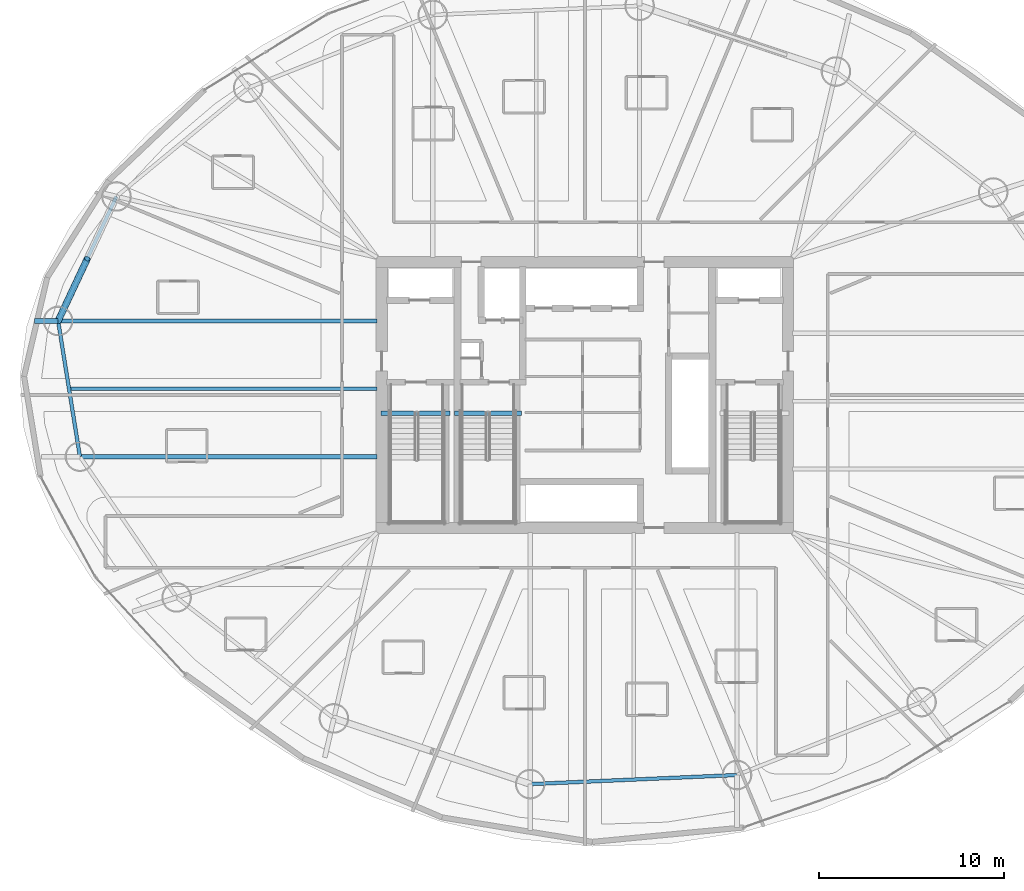
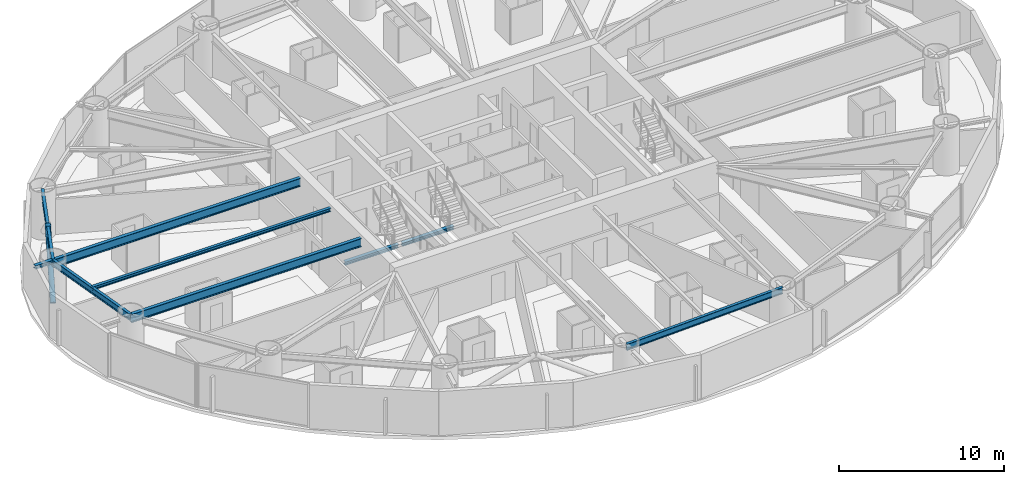
# One storey, part 5 of 27: 9 beams, 1 member.
"""IFC4 building model written with IfcOpenShell, lengths in metres."""

from ifc_helpers import new_model, si_unit, direction, frame, origin, origin_2d, place, context, subcontext, project, spatial, hollow_circle, i_section, extrude, material, material_profile, profile_set, type_object, element, save


model = new_model("IFC4")

# Units and contexts
model_context = context("Model", 3, precision=1e-05, world=origin(), true_north=direction((0.0, 1.0)))
body_context = subcontext(model_context, "Body", "Model", "MODEL_VIEW")
ifc_project = project(units=[si_unit("LENGTHUNIT", "METRE"), si_unit("AREAUNIT", "SQUARE_METRE"), si_unit("VOLUMEUNIT", "CUBIC_METRE"), si_unit("PLANEANGLEUNIT", "RADIAN"), si_unit("MASSUNIT", "GRAM", prefix="KILO")], contexts=[model_context])

# Site, building, storey
site_placement = place(None, origin())
site = spatial("IfcSite", under=ifc_project, at=site_placement, CompositionType="ELEMENT")
building_placement = place(site_placement, origin())
building = spatial("IfcBuilding", under=site, at=building_placement, Name="Bramvorn Convention Spire", CompositionType="ELEMENT")
storey_placement = place(building_placement, frame((0.0, 0.0, 44.89990234375)))
storey = spatial("IfcBuildingStorey", under=building, at=storey_placement, Name="L08", CompositionType="ELEMENT", Elevation=44.89990234375)

# Beams
ifc_material = material(Name="Steel CSA G40.21 Grade 350 (350W)", Category="steel")
ifc_material_profile_1 = material_profile(ifc_material, i_section(OverallWidth=0.201904296875, OverallDepth=0.2470703125, WebThickness=0.00732421875, FlangeThickness=0.010986328125, FilletRadius=0.011962890625, at=origin_2d()))
ifc_profile_set_1 = profile_set([ifc_material_profile_1], Name="Steel CSA G40.21 Grade 350 (350W) - W250X49")
beam_type_1 = type_object("IfcBeamType", Name="BM-W250X49", PredefinedType="JOIST", material=ifc_profile_set_1)
beam_1_placement = place(storey_placement, frame((26.75, 26.333984375, 3.126708984375), z_axis=(-1.0, 0.0, 0.0), x_axis=(0.0, -1.0, 0.0)))
element("IfcBeam", 1, at=beam_1_placement, inside=storey, type_object=beam_type_1, Name="L08 composite floor joist 09", PredefinedType="JOIST", context=body_context, shape_type="SweptSolid", body=[
    extrude(i_section(OverallWidth=0.201904296875, OverallDepth=0.2470703125, WebThickness=0.00732421875, FlangeThickness=0.010986328125, FilletRadius=0.011962890625, at=origin_2d()), origin(), (0.0, 0.0, 1.0), 16.67919921875),
])
ifc_material_profile_2 = material_profile(ifc_material, i_section(OverallWidth=0.25390625, OverallDepth=0.2529296875, WebThickness=0.008544921875, FlangeThickness=0.01416015625, FilletRadius=0.011962890625, at=origin_2d()))
ifc_profile_set_2 = profile_set([ifc_material_profile_2], Name="Steel CSA G40.21 Grade 350 (350W) - W250X73")
beam_type_2 = type_object("IfcBeamType", Name="BM-W250X73", PredefinedType="BEAM", material=ifc_profile_set_2)
beam_2_placement = place(storey_placement, frame((9.480224609375, 30.00830078125, 3.12353515625), z_axis=(-1.0, 0.0, 0.0), x_axis=(0.0, -1.0, 0.0)))
element("IfcBeam", 2, at=beam_2_placement, inside=storey, type_object=beam_type_2, Name="L08 slab-edge cantilever tip beam MC09", PredefinedType="BEAM", context=body_context, shape_type="SweptSolid", body=[
    extrude(i_section(OverallWidth=0.25390625, OverallDepth=0.2529296875, WebThickness=0.008544921875, FlangeThickness=0.01416015625, FilletRadius=0.011962890625, at=origin_2d()), origin(), (0.0, 0.0, 1.0), 1.290771484375),
])
beam_3_placement = place(storey_placement, frame((26.949951171875, 25.010009765625, -0.12646484375), z_axis=(1.0, 0.0, 0.0), x_axis=(0.0, 1.0, 0.0)))
element("IfcBeam", 3, at=beam_3_placement, inside=storey, type_object=beam_type_2, Name="L08 ST1 stair arrival header beam", PredefinedType="BEAM", context=body_context, shape_type="SweptSolid", body=[
    extrude(i_section(OverallWidth=0.25390625, OverallDepth=0.2529296875, WebThickness=0.008544921875, FlangeThickness=0.01416015625, FilletRadius=0.011962890625, at=origin_2d()), origin(), (0.0, 0.0, 1.0), 3.739990234375),
])
beam_4_placement = place(storey_placement, frame((30.949951171875, 25.010009765625, -0.12646484375), z_axis=(1.0, 0.0, 0.0), x_axis=(0.0, 1.0, 0.0)))
element("IfcBeam", 4, at=beam_4_placement, inside=storey, type_object=beam_type_2, Name="L08 ST3 stair arrival header beam", PredefinedType="BEAM", context=body_context, shape_type="SweptSolid", body=[
    extrude(i_section(OverallWidth=0.25390625, OverallDepth=0.2529296875, WebThickness=0.008544921875, FlangeThickness=0.01416015625, FilletRadius=0.011962890625, at=origin_2d()), origin(), (0.0, 0.0, 1.0), 3.610107421875),
])
ifc_material_profile_3 = material_profile(ifc_material, i_section(OverallWidth=0.194091796875, OverallDepth=0.468994140625, WebThickness=0.0126953125, FlangeThickness=0.0205078125, FilletRadius=0.01806640625, at=origin_2d()))
ifc_profile_set_3 = profile_set([ifc_material_profile_3], Name="Steel CSA G40.21 Grade 350 (350W) - W460X106")
beam_type_3 = type_object("IfcBeamType", Name="BM-W460X106", PredefinedType="SPANDREL", material=ifc_profile_set_3)
for number, where, z_axis, x_axis, name in (
    (5, (12.64111328125, 36.746337890625, 3.015625), (-0.424701955478, -0.9053332254, 0.0), (0.9053332254, -0.424701955478, 0.0), "L08 mega-column ring beam 08"),
    (6, (9.480224609375, 30.00830078125, 3.015625), (0.158699222824, -0.987326975563, 0.0), (0.987326975563, 0.158699222824, 0.0), "L08 mega-column ring beam 09"),
):
    element("IfcBeam", number, at=place(storey_placement, frame(where, z_axis=z_axis, x_axis=x_axis)), inside=storey, type_object=beam_type_3, Name=name, PredefinedType="SPANDREL", context=body_context, shape_type="SweptSolid", body=[
        extrude(i_section(OverallWidth=0.194091796875, OverallDepth=0.468994140625, WebThickness=0.0126953125, FlangeThickness=0.0205078125, FilletRadius=0.01806640625, at=origin_2d()), origin(), (0.0, 0.0, 1.0), 7.442626953125),
    ])
beam_5_placement = place(storey_placement, frame((35.0390625, 4.93115234375, 3.015625), z_axis=(0.999035582762, 0.043907907889, 0.0), x_axis=(-0.043907907889, 0.999035582762, 0.0)))
element("IfcBeam", 7, at=beam_5_placement, inside=storey, type_object=beam_type_3, Name="L08 mega-column ring beam 13", PredefinedType="SPANDREL", context=body_context, shape_type="SweptSolid", body=[
    extrude(i_section(OverallWidth=0.194091796875, OverallDepth=0.468994140625, WebThickness=0.0126953125, FlangeThickness=0.0205078125, FilletRadius=0.01806640625, at=origin_2d()), origin(), (0.0, 0.0, 1.0), 11.20947265625),
])
ifc_material_profile_4 = material_profile(ifc_material, i_section(OverallWidth=0.22998046875, OverallDepth=0.616943359375, WebThickness=0.01318359375, FlangeThickness=0.022216796875, FilletRadius=0.02001953125, at=origin_2d()))
ifc_profile_set_4 = profile_set([ifc_material_profile_4], Name="Steel CSA G40.21 Grade 350 (350W) - W610X140")
beam_type_4 = type_object("IfcBeamType", Name="BM-W610X140", PredefinedType="BEAM", material=ifc_profile_set_4)
beam_6_placement = place(storey_placement, frame((26.75, 30.00830078125, 2.941650390625), z_axis=(-1.0, 0.0, 0.0), x_axis=(0.0, -1.0, 0.0)))
element("IfcBeam", 8, at=beam_6_placement, inside=storey, type_object=beam_type_4, Name="L08 radial floor girder MC09", PredefinedType="BEAM", context=body_context, shape_type="SweptSolid", body=[
    extrude(i_section(OverallWidth=0.22998046875, OverallDepth=0.616943359375, WebThickness=0.01318359375, FlangeThickness=0.022216796875, FilletRadius=0.02001953125, at=origin_2d()), origin(), (0.0, 0.0, 1.0), 17.269775390625),
])
beam_7_placement = place(storey_placement, frame((26.75, 22.659912109375, 2.941650390625), z_axis=(-1.0, 0.0, 0.0), x_axis=(0.0, -1.0, 0.0)))
element("IfcBeam", 9, at=beam_7_placement, inside=storey, type_object=beam_type_4, Name="L08 radial floor girder MC10", PredefinedType="BEAM", context=body_context, shape_type="SweptSolid", body=[
    extrude(i_section(OverallWidth=0.22998046875, OverallDepth=0.616943359375, WebThickness=0.01318359375, FlangeThickness=0.022216796875, FilletRadius=0.02001953125, at=origin_2d()), origin(), (0.0, 0.0, 1.0), 16.088623046875),
])

# Member
ifc_material_profile_5 = material_profile(ifc_material, hollow_circle(Radius=0.177734375, WallThickness=0.015869140625, at=origin_2d()))
ifc_profile_set_5 = profile_set([ifc_material_profile_5], Name="Steel CSA G40.21 Grade 350 (350W) - CHS356X16")
member_type = type_object("IfcMemberType", Name="MBR-CHS356X16", PredefinedType="BRACE", material=ifc_profile_set_5)
member_placement = place(storey_placement, frame((9.480224609375, 30.00830078125, 0.0), z_axis=(0.319909760159, 0.681871297566, 0.657806414465), x_axis=(-0.905314694797, 0.424741454752, 0.0)))
element("IfcMember", 10, at=member_placement, inside=storey, type_object=member_type, Name="L08 perimeter Gothic lancet brace 8B", PredefinedType="BRACE", context=body_context, shape_type="SweptSolid", body=[
    extrude(hollow_circle(Radius=0.177734375, WallThickness=0.015869140625, at=origin_2d()), origin(), (0.0, 0.0, 1.0), 4.940673828125),
])

save(model, "model.ifc")
